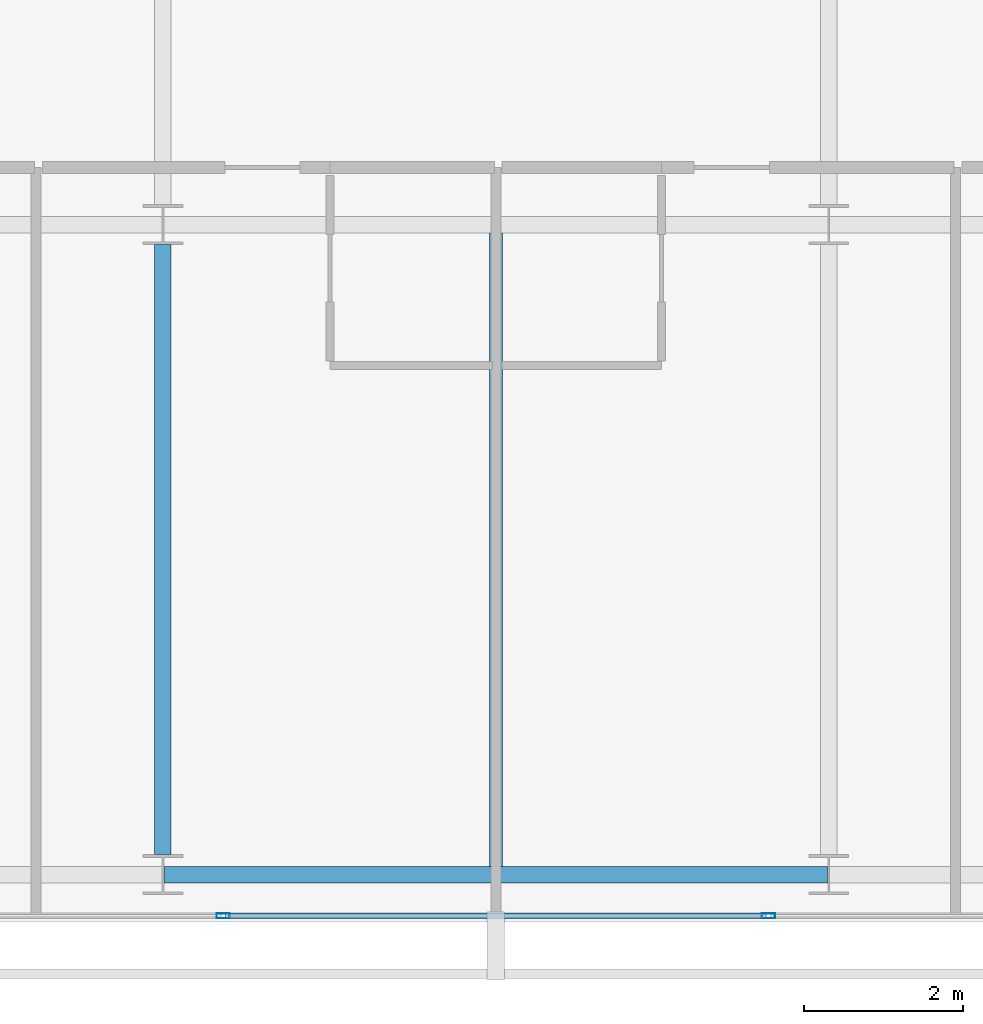
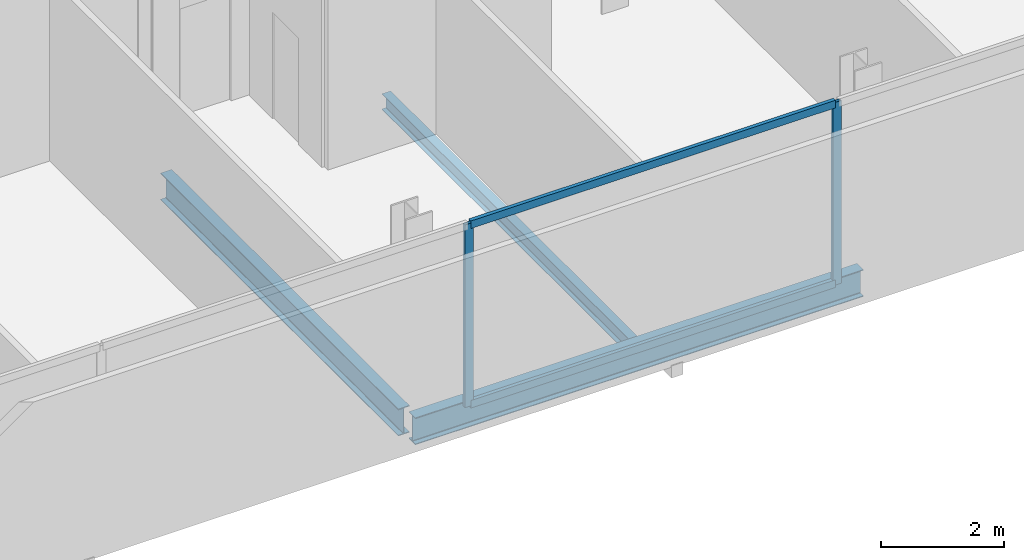
# One storey, part 6 of 25: 4 members, 3 beams, 1 element without a shape of its own.
"""IFC4 building model written with IfcOpenShell, lengths in metres."""

from ifc_helpers import new_model, si_unit, direction, frame, origin, origin_2d, place, context, subcontext, project, spatial, hollow_rectangle, i_section, extrude, material, layer, layer_set, material_profile, profile_set, type_object, element, aggregate, save


model = new_model("IFC4")

# Units and contexts
model_context = context("Model", 3, precision=1e-05, world=origin(), true_north=direction((0.0, 1.0)))
body_context = subcontext(model_context, "Body", "Model", "MODEL_VIEW")
ifc_project = project(units=[si_unit("LENGTHUNIT", "METRE"), si_unit("AREAUNIT", "SQUARE_METRE"), si_unit("VOLUMEUNIT", "CUBIC_METRE"), si_unit("PLANEANGLEUNIT", "RADIAN"), si_unit("MASSUNIT", "GRAM", prefix="KILO")], contexts=[model_context])

# Site, building, storey
site_placement = place(None, origin())
site = spatial("IfcSite", under=ifc_project, at=site_placement, CompositionType="ELEMENT")
building_placement = place(site_placement, origin())
building = spatial("IfcBuilding", under=site, at=building_placement, Name="Maruvema Waterfront Hotel and Observation Tower", CompositionType="ELEMENT")
storey_placement = place(building_placement, frame((0.0, 0.0, 247.10009765625)))
storey = spatial("IfcBuildingStorey", under=building, at=storey_placement, Name="L60", CompositionType="ELEMENT", Elevation=247.10009765625)

# Curtain wall, members
ifc_material_1 = material(Name="Anodised bronze aluminium and solar-control low-E IGU", Category="aluminium")
ifc_layer = layer(ifc_material_1, 0.159912109375, Name="Zone 3 Champagne Inner Thermal Curtain Wall System CW-04")
ifc_layer_set = layer_set([ifc_layer], Name="Anodised bronze aluminium and solar-control low-E IGU")
curtain_wall_type = type_object("IfcCurtainWallType", Name="Zone 3 Champagne Inner Thermal Curtain Wall System CW-04", PredefinedType="USERDEFINED", material=ifc_layer_set)
curtain_wall_placement = place(storey_placement, origin())
curtain_wall = element("IfcCurtainWall", 1, at=curtain_wall_placement, inside=storey, type_object=curtain_wall_type, Name="L60 Curtain Wall CW-L60-S", ObjectType="UNITISED CURTAIN WALL", PredefinedType="USERDEFINED")
ifc_material_2 = material(Name="Anodised architectural bronze aluminium", Category="aluminium")
ifc_material_profile_1 = material_profile(ifc_material_2, hollow_rectangle(XDim=0.070068359375, YDim=0.14990234375, WallThickness=0.00390625, at=origin_2d()), Name="ALU-T70x150")
ifc_profile_set_1 = profile_set([ifc_material_profile_1], Name="Anodised architectural bronze aluminium")
member_type_1 = type_object("IfcMemberType", Name="Curtain Wall Horizontal Transom ALU-T70x150", PredefinedType="USERDEFINED", material=ifc_profile_set_1)
member_1_placement = place(storey_placement, frame((34.389892578125, 9.280029296875, 0.02978515625), z_axis=(1.0, 0.0, 0.0), x_axis=(0.0, 1.0, 0.0)))
member_1 = element("IfcMember", 2, at=member_1_placement, type_object=member_type_1, Name="CW-04 transom 3.1", ObjectType="TRANSOM", PredefinedType="USERDEFINED", context=body_context, shape_type="SweptSolid", body=[
    extrude(hollow_rectangle(XDim=0.070068359375, YDim=0.14990234375, WallThickness=0.00390625, at=origin_2d()), origin(), (0.0, 0.0, 1.0), 6.820068359375),
])
member_2_placement = place(storey_placement, frame((34.389892578125, 9.280029296875, 3.579833984375), z_axis=(1.0, 0.0, 0.0), x_axis=(0.0, 1.0, 0.0)))
member_2 = element("IfcMember", 3, at=member_2_placement, type_object=member_type_1, Name="CW-04 transom 3.2", ObjectType="TRANSOM", PredefinedType="USERDEFINED", context=body_context, shape_type="SweptSolid", body=[
    extrude(hollow_rectangle(XDim=0.070068359375, YDim=0.14990234375, WallThickness=0.00390625, at=origin_2d()), origin(), (0.0, 0.0, 1.0), 6.820068359375),
])
ifc_material_3 = material(Name="Anodised architectural bronze aluminium", Category="aluminium")
ifc_material_profile_2 = material_profile(ifc_material_3, hollow_rectangle(XDim=0.06494140625, YDim=0.1650390625, WallThickness=0.00390625, at=origin_2d()), Name="ALU-M65x165")
ifc_profile_set_2 = profile_set([ifc_material_profile_2], Name="Anodised architectural bronze aluminium")
member_type_2 = type_object("IfcMemberType", Name="Curtain Wall Primary Mullion ALU-M65x165", PredefinedType="MULLION", material=ifc_profile_set_2)
member_3_placement = place(storey_placement, frame((34.360107421875, 9.280029296875, 0.0), z_axis=(0.0, 0.0, 1.0), x_axis=(0.0, 1.0, 0.0)))
member_3 = element("IfcMember", 4, at=member_3_placement, type_object=member_type_2, Name="CW-04 mullion 3", PredefinedType="MULLION", context=body_context, shape_type="SweptSolid", body=[
    extrude(hollow_rectangle(XDim=0.06494140625, YDim=0.1650390625, WallThickness=0.00390625, at=origin_2d()), origin(), (0.0, 0.0, 1.0), 3.60986328125),
])
member_4_placement = place(storey_placement, frame((41.239990234375, 9.280029296875, 0.0), z_axis=(0.0, 0.0, 1.0), x_axis=(0.0, 1.0, 0.0)))
member_4 = element("IfcMember", 5, at=member_4_placement, type_object=member_type_2, Name="CW-04 mullion 4", PredefinedType="MULLION", context=body_context, shape_type="SweptSolid", body=[
    extrude(hollow_rectangle(XDim=0.06494140625, YDim=0.1650390625, WallThickness=0.00390625, at=origin_2d()), origin(), (0.0, 0.0, 1.0), 3.60986328125),
])
aggregate(curtain_wall, [member_3, member_4, member_1, member_2])

# Beams
ifc_material_4 = material(Name="Steel ASTM A572 Grade 50", Category="steel")
ifc_material_profile_3 = material_profile(ifc_material_4, i_section(OverallWidth=0.208984375, OverallDepth=0.532958984375, WebThickness=0.01025390625, FlangeThickness=0.015625, FilletRadius=0.014892578125, at=origin_2d()), Name="W530x92.0")
ifc_profile_set_3 = profile_set([ifc_material_profile_3], Name="Steel ASTM A572 Grade 50")
beam_type_1 = type_object("IfcBeamType", Name="Primary Floor Girder W530x92.0", PredefinedType="BEAM", material=ifc_profile_set_3)
beam_1_placement = place(storey_placement, frame((33.611083984375, 9.800048828125, -0.506591796875), z_axis=(1.0, 0.0, 0.0), x_axis=(0.0, 1.0, 0.0)))
element("IfcBeam", 6, at=beam_1_placement, inside=storey, type_object=beam_type_1, Name="L60 Floor Girder EW-02", PredefinedType="BEAM", context=body_context, shape_type="SweptSolid", body=[
    extrude(i_section(OverallWidth=0.208984375, OverallDepth=0.532958984375, WebThickness=0.01025390625, FlangeThickness=0.015625, FilletRadius=0.014892578125, at=origin_2d()), origin(), (0.0, 0.0, 1.0), 8.3779296875),
])
beam_2_placement = place(storey_placement, frame((33.60009765625, 10.050048828125, -0.506591796875), z_axis=(0.0, 1.0, 0.0), x_axis=(-1.0, 0.0, 0.0)))
element("IfcBeam", 7, at=beam_2_placement, inside=storey, type_object=beam_type_1, Name="L60 Floor Girder NS-08", PredefinedType="BEAM", context=body_context, shape_type="SweptSolid", body=[
    extrude(i_section(OverallWidth=0.208984375, OverallDepth=0.532958984375, WebThickness=0.01025390625, FlangeThickness=0.015625, FilletRadius=0.014892578125, at=origin_2d()), origin(), (0.0, 0.0, 1.0), 7.699951171875),
])
ifc_material_5 = material(Name="Steel ASTM A572 Grade 50", Category="steel")
ifc_material_profile_4 = material_profile(ifc_material_5, i_section(OverallWidth=0.1650390625, OverallDepth=0.31005859375, WebThickness=0.005859375, FlangeThickness=0.009765625, FilletRadius=0.012939453125, at=origin_2d()), Name="W310x38.7")
ifc_profile_set_4 = profile_set([ifc_material_profile_4], Name="Steel ASTM A572 Grade 50")
beam_type_2 = type_object("IfcBeamType", Name="Secondary Floor Joist W310x38.7", PredefinedType="JOIST", material=ifc_profile_set_4)
beam_3_placement = place(storey_placement, frame((37.800048828125, 9.904541015625, -0.39501953125), z_axis=(0.0, 1.0, 0.0), x_axis=(-1.0, 0.0, 0.0)))
element("IfcBeam", 8, at=beam_3_placement, inside=storey, type_object=beam_type_2, Name="L60 Secondary Floor Joist JS-05", PredefinedType="JOIST", context=body_context, shape_type="SweptSolid", body=[
    extrude(i_section(OverallWidth=0.1650390625, OverallDepth=0.31005859375, WebThickness=0.005859375, FlangeThickness=0.009765625, FilletRadius=0.012939453125, at=origin_2d()), origin(), (0.0, 0.0, 1.0), 7.990966796875),
])

save(model, "model.ifc")
